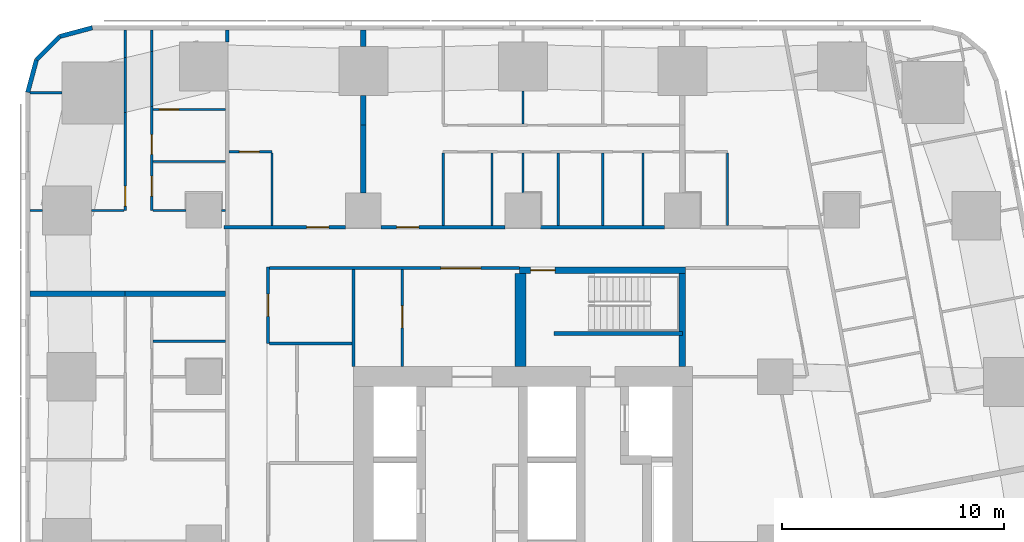
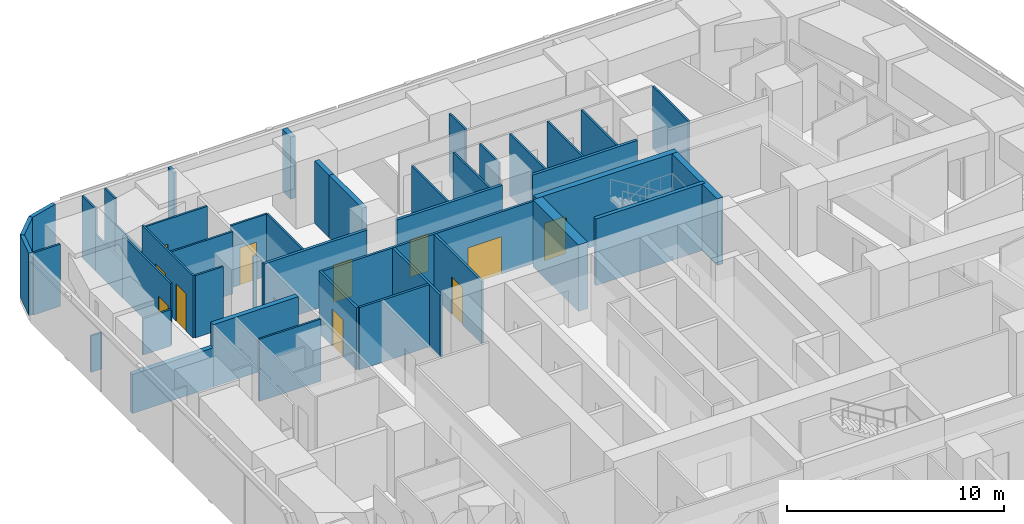
# One storey, part 8 of 15: 45 walls, 11 doors, 11 openings.
"""IFC4 building model written with IfcOpenShell, lengths in metres."""

from ifc_helpers import new_model, si_unit, direction, frame, frame_2d, origin, place, context, subcontext, project, spatial, rectangle, extrude, material, layer, layer_set, type_object, element, fill, save


model = new_model("IFC4")

# Units and contexts
model_context = context("Model", 3, precision=1e-05, world=origin(), true_north=direction((0.0, 1.0)))
body_context = subcontext(model_context, "Body", "Model", "MODEL_VIEW")
ifc_project = project(units=[si_unit("LENGTHUNIT", "METRE"), si_unit("AREAUNIT", "SQUARE_METRE"), si_unit("VOLUMEUNIT", "CUBIC_METRE"), si_unit("PLANEANGLEUNIT", "RADIAN"), si_unit("MASSUNIT", "GRAM", prefix="KILO")], contexts=[model_context])

# Site, building, storey
site_placement = place(None, origin())
site = spatial("IfcSite", under=ifc_project, at=site_placement, CompositionType="ELEMENT")
building_placement = place(site_placement, origin())
building = spatial("IfcBuilding", under=site, at=building_placement, Name="Sheger Commons Tower", CompositionType="ELEMENT")
storey_placement = place(building_placement, frame((0.0, 0.0, 85.39990234375)))
storey = spatial("IfcBuildingStorey", under=building, at=storey_placement, Name="L21", CompositionType="ELEMENT", Elevation=85.39990234375)

# Wall
ifc_material_1 = material(Name="Hollow concrete block masonry, skimmed both sides", Category="masonry")
ifc_layer_1 = layer(ifc_material_1, 0.14990234375)
ifc_layer_set_1 = layer_set([ifc_layer_1], Name="CORRIDOR WALL 150")
wall_type_1 = type_object("IfcWallType", Name="CORRIDOR WALL 150", PredefinedType="SOLIDWALL", material=ifc_layer_set_1)
wall_1_placement = place(storey_placement, frame((8.25, 45.10107421875, 0.0), z_axis=(0.0, 0.0, 1.0), x_axis=(0.0, 1.0, 0.0)))
element("IfcWall", 1, at=wall_1_placement, inside=storey, type_object=wall_type_1, Name="Corridor wall L21", PredefinedType="SOLIDWALL", context=body_context, shape_type="SweptSolid", body=[
    extrude(rectangle(XDim=0.548828125, YDim=0.14990234375, at=frame_2d((0.2744140625, 0.0))), origin(), (0.0, 0.0, 1.0), 3.5),
])

# Wall, opening, door
wall_2_placement = place(storey_placement, frame((8.10009765625, 36.75, 0.0), z_axis=(0.0, 0.0, 1.0), x_axis=(1.0, 0.0, 0.0)))
wall_2 = element("IfcWall", 2, at=wall_2_placement, inside=storey, type_object=wall_type_1, Name="Corridor wall L21", PredefinedType="SOLIDWALL", context=body_context, shape_type="SweptSolid", body=[
    extrude(rectangle(XDim=5.4990234375, YDim=0.14990234375, at=frame_2d((2.74951171875, 0.0))), origin(), (0.0, 0.0, 1.0), 3.5),
])
opening_1_placement = place(wall_2_placement, frame((3.739013671875, 0.0, 0.0)))
opening_1 = element("IfcOpeningElement", 3, at=opening_1_placement, cuts=wall_2, Name="Opening D1", PredefinedType="OPENING", context=body_context, shape_type="SweptSolid", body=[
    extrude(rectangle(XDim=1.0, YDim=2.10009765625, at=frame_2d((0.5, 1.050048828125))), frame((0.0, 0.0849609375, 0.0), z_axis=(0.0, -1.0, 0.0), x_axis=(1.0, 0.0, 0.0)), (0.0, 0.0, 1.0), 0.169921875),
])
ifc_material_2 = material(Name="Steel door set, fire rated", Category="steel")
door_type_1 = type_object("IfcDoorType", Name="FLAT ENTRANCE DOOR 1000x2100", OperationType="NOTDEFINED", PredefinedType="DOOR", material=ifc_material_2)
door_1_placement = place(opening_1_placement, origin())
door_1 = element("IfcDoor", 4, at=door_1_placement, inside=storey, type_object=door_type_1, Name="Flat entrance door", OperationType="SINGLE_SWING_RIGHT", OverallHeight=2.10009765625, OverallWidth=1.0, PredefinedType="DOOR", context=body_context, shape_type="SweptSolid", body=[
    extrude(rectangle(XDim=1.0, YDim=2.10009765625, at=frame_2d((0.5, 1.050048828125))), frame((0.0, 0.02490234375, 0.0), z_axis=(0.0, -1.0, 0.0), x_axis=(1.0, 0.0, 0.0)), (0.0, 0.0, 1.0), 0.050048828125),
])
fill(opening_1, door_1)

wall_3_placement = place(storey_placement, frame((15.200927734375, 36.75, 0.0), z_axis=(0.0, 0.0, 1.0), x_axis=(1.0, 0.0, 0.0)))
wall_3 = element("IfcWall", 5, at=wall_3_placement, inside=storey, type_object=wall_type_1, Name="Corridor wall L21", PredefinedType="SOLIDWALL", context=body_context, shape_type="SweptSolid", body=[
    extrude(rectangle(XDim=5.59814453125, YDim=0.14990234375, at=frame_2d((2.799072265625, 0.0))), origin(), (0.0, 0.0, 1.0), 3.5),
])
opening_2_placement = place(wall_3_placement, frame((0.698974609375, 0.0, 0.0)))
opening_2 = element("IfcOpeningElement", 6, at=opening_2_placement, cuts=wall_3, Name="Opening D1", PredefinedType="OPENING", context=body_context, shape_type="SweptSolid", body=[
    extrude(rectangle(XDim=1.0, YDim=2.10009765625, at=frame_2d((0.5, 1.050048828125))), frame((0.0, 0.0849609375, 0.0), z_axis=(0.0, -1.0, 0.0), x_axis=(1.0, 0.0, 0.0)), (0.0, 0.0, 1.0), 0.169921875),
])
door_2_placement = place(opening_2_placement, origin())
door_2 = element("IfcDoor", 7, at=door_2_placement, inside=storey, type_object=door_type_1, Name="Flat entrance door", OperationType="SINGLE_SWING_LEFT", OverallHeight=2.10009765625, OverallWidth=1.0, PredefinedType="DOOR", context=body_context, shape_type="SweptSolid", body=[
    extrude(rectangle(XDim=1.0, YDim=2.10009765625, at=frame_2d((0.5, 1.050048828125))), frame((0.0, 0.02490234375, 0.0), z_axis=(0.0, -1.0, 0.0), x_axis=(1.0, 0.0, 0.0)), (0.0, 0.0, 1.0), 0.050048828125),
])
fill(opening_2, door_2)

# Walls
wall_4_placement = place(storey_placement, frame((22.40087890625, 36.75, 0.0), z_axis=(0.0, 0.0, 1.0), x_axis=(1.0, 0.0, 0.0)))
element("IfcWall", 8, at=wall_4_placement, inside=storey, type_object=wall_type_1, Name="Corridor wall L21", PredefinedType="SOLIDWALL", context=body_context, shape_type="SweptSolid", body=[
    extrude(rectangle(XDim=5.59814453125, YDim=0.14990234375, at=frame_2d((2.799072265625, 0.0))), origin(), (0.0, 0.0, 1.0), 3.5),
])
ifc_material_3 = material(Name="Dense concrete block masonry, plastered both sides (separating wall between flats)", Category="masonry")
ifc_layer_2 = layer(ifc_material_3, 0.25)
ifc_layer_set_2 = layer_set([ifc_layer_2], Name="DEMISING WALL 250")
wall_type_2 = type_object("IfcWallType", Name="DEMISING WALL 250", PredefinedType="SOLIDWALL", material=ifc_layer_set_2)
wall_5_placement = place(storey_placement, frame((-0.64990234375, 33.75, 0.0), z_axis=(0.0, 0.0, 1.0), x_axis=(1.0, 0.0, 0.0)))
element("IfcWall", 9, at=wall_5_placement, inside=storey, type_object=wall_type_2, Name="Demising wall L21", PredefinedType="SOLIDWALL", context=body_context, shape_type="SweptSolid", body=[
    extrude(rectangle(XDim=4.2998046875, YDim=0.25, at=frame_2d((2.14990234375, 0.0))), origin(), (0.0, 0.0, 1.0), 2.2001953125),
])
wall_6_placement = place(storey_placement, frame((3.64990234375, 33.75, 0.0), z_axis=(0.0, 0.0, 1.0), x_axis=(1.0, 0.0, 0.0)))
element("IfcWall", 10, at=wall_6_placement, inside=storey, type_object=wall_type_2, Name="Demising wall L21", PredefinedType="SOLIDWALL", context=body_context, shape_type="SweptSolid", body=[
    extrude(rectangle(XDim=4.525146484375, YDim=0.25, at=frame_2d((2.2626953125, 0.0))), origin(), (0.0, 0.0, 1.0), 3.5),
])
wall_7_placement = place(storey_placement, frame((14.39990234375, 41.35009765625, 0.0), z_axis=(0.0, 0.0, 1.0), x_axis=(0.0, 1.0, 0.0)))
element("IfcWall", 11, at=wall_7_placement, inside=storey, type_object=wall_type_2, Name="Demising wall L21", PredefinedType="SOLIDWALL", context=body_context, shape_type="SweptSolid", body=[
    extrude(rectangle(XDim=1.348876953125, YDim=0.25, at=frame_2d((0.67431640625, 0.0))), origin(), (0.0, 0.0, 1.0), 3.5),
])
wall_8_placement = place(storey_placement, frame((14.39990234375, 44.90087890625, 0.0), z_axis=(0.0, 0.0, 1.0), x_axis=(0.0, 1.0, 0.0)))
element("IfcWall", 12, at=wall_8_placement, inside=storey, type_object=wall_type_2, Name="Demising wall L21", PredefinedType="SOLIDWALL", context=body_context, shape_type="SweptSolid", body=[
    extrude(rectangle(XDim=0.7490234375, YDim=0.25, at=frame_2d((0.37451171875, 0.0))), origin(), (0.0, 0.0, 1.0), 3.5),
])
wall_9_placement = place(storey_placement, frame((14.39990234375, 38.301025390625, 0.0), z_axis=(0.0, 0.0, 1.0), x_axis=(0.0, 1.0, 0.0)))
element("IfcWall", 13, at=wall_9_placement, inside=storey, type_object=wall_type_2, Name="Demising wall L21", PredefinedType="SOLIDWALL", context=body_context, shape_type="SweptSolid", body=[
    extrude(rectangle(XDim=3.049072265625, YDim=0.25, at=frame_2d((1.5244140625, 0.0))), origin(), (0.0, 0.0, 1.0), 3.5),
])
ifc_material_4 = material(Name="Rendered concrete block masonry, dark grey", Category="masonry")
ifc_layer_3 = layer(ifc_material_4, 0.199951171875)
ifc_layer_set_3 = layer_set([ifc_layer_3], Name="FACADE WALL 200")
wall_type_3 = type_object("IfcWallType", Name="FACADE WALL 200", PredefinedType="SOLIDWALL", material=ifc_layer_set_3)
wall_10_placement = place(storey_placement, frame((2.1630859375, 45.75, 0.0), z_axis=(0.0, 0.0, 1.0), x_axis=(-0.965832000415, -0.259168954497, 0.0)))
element("IfcWall", 14, at=wall_10_placement, inside=storey, type_object=wall_type_3, Name="Facade wall L21", PredefinedType="SOLIDWALL", context=body_context, shape_type="SweptSolid", body=[
    extrude(rectangle(XDim=1.512939453125, YDim=0.199951171875, at=frame_2d((0.75634765625, 0.0))), origin(), (0.0, 0.0, 1.0), 3.5),
])
wall_11_placement = place(storey_placement, frame((0.701904296875, 45.35791015625, 0.0), z_axis=(0.0, 0.0, 1.0), x_axis=(-0.707106781187, -0.707106781187, 0.0)))
element("IfcWall", 15, at=wall_11_placement, inside=storey, type_object=wall_type_3, Name="Facade wall L21", PredefinedType="SOLIDWALL", context=body_context, shape_type="SweptSolid", body=[
    extrude(rectangle(XDim=1.498779296875, YDim=0.199951171875, at=frame_2d((0.74951171875, 0.0))), origin(), (0.0, 0.0, 1.0), 3.5),
])
wall_12_placement = place(storey_placement, frame((-0.35791015625, 44.298095703125, 0.0), z_axis=(0.0, 0.0, 1.0), x_axis=(-0.259168954497, -0.965832000415, 0.0)))
element("IfcWall", 16, at=wall_12_placement, inside=storey, type_object=wall_type_3, Name="Facade wall L21", PredefinedType="SOLIDWALL", context=body_context, shape_type="SweptSolid", body=[
    extrude(rectangle(XDim=1.512939453125, YDim=0.199951171875, at=frame_2d((0.75634765625, 0.0))), origin(), (0.0, 0.0, 1.0), 3.5),
])
ifc_material_5 = material(Name="Gypsum board on steel studs", Category="steel")
ifc_layer_4 = layer(ifc_material_5, 0.10009765625)
ifc_layer_set_4 = layer_set([ifc_layer_4], Name="PARTITION 100")
wall_type_4 = type_object("IfcWallType", Name="PARTITION 100", PredefinedType="PARTITIONING", material=ifc_layer_set_4)
wall_13_placement = place(storey_placement, frame((4.89990234375, 31.60009765625, 0.0), z_axis=(0.0, 0.0, 1.0), x_axis=(1.0, 0.0, 0.0)))
element("IfcWall", 17, at=wall_13_placement, inside=storey, type_object=wall_type_4, Name="Partition L21", PredefinedType="PARTITIONING", context=body_context, shape_type="SweptSolid", body=[
    extrude(rectangle(XDim=3.275146484375, YDim=0.10009765625, at=frame_2d((1.6376953125, 0.0))), origin(), (0.0, 0.0, 1.0), 3.5),
])

# Wall, opening, door
wall_14_placement = place(storey_placement, frame((3.64990234375, 37.5, 0.0), z_axis=(0.0, 0.0, 1.0), x_axis=(0.0, 1.0, 0.0)))
wall_14 = element("IfcWall", 18, at=wall_14_placement, inside=storey, type_object=wall_type_4, Name="Partition L21", PredefinedType="PARTITIONING", context=body_context, shape_type="SweptSolid", body=[
    extrude(rectangle(XDim=4.4150390625, YDim=0.10009765625, at=frame_2d((2.20751953125, 0.0))), origin(), (0.0, 0.0, 1.0), 3.5),
])
opening_3_placement = place(wall_14_placement, frame((0.199951171875, 0.0, 0.0)))
opening_3 = element("IfcOpeningElement", 19, at=opening_3_placement, cuts=wall_14, Name="Opening D2", PredefinedType="OPENING", context=body_context, shape_type="SweptSolid", body=[
    extrude(rectangle(XDim=0.89990234375, YDim=2.10009765625, at=frame_2d((0.449951171875, 1.050048828125))), frame((0.0, 0.06005859375, 0.0), z_axis=(0.0, -1.0, 0.0), x_axis=(1.0, 0.0, 0.0)), (0.0, 0.0, 1.0), 0.1201171875),
])
ifc_material_6 = material(Name="Timber door set", Category="wood")
door_type_2 = type_object("IfcDoorType", Name="INTERNAL DOOR 900x2100", OperationType="NOTDEFINED", PredefinedType="DOOR", material=ifc_material_6)
door_3_placement = place(opening_3_placement, origin())
door_3 = element("IfcDoor", 20, at=door_3_placement, inside=storey, type_object=door_type_2, Name="Main bedroom door", OperationType="SINGLE_SWING_LEFT", OverallHeight=2.10009765625, OverallWidth=0.89990234375, PredefinedType="DOOR", context=body_context, shape_type="SweptSolid", body=[
    extrude(rectangle(XDim=0.89990234375, YDim=2.10009765625, at=frame_2d((0.449951171875, 1.050048828125))), frame((0.0, 0.02490234375, 0.0), z_axis=(0.0, -1.0, 0.0), x_axis=(1.0, 0.0, 0.0)), (0.0, 0.0, 1.0), 0.050048828125),
])
fill(opening_3, door_3)

# Walls
wall_15_placement = place(storey_placement, frame((3.64990234375, 41.9150390625, 0.0), z_axis=(0.0, 0.0, 1.0), x_axis=(0.0, 1.0, 0.0)))
element("IfcWall", 21, at=wall_15_placement, inside=storey, type_object=wall_type_4, Name="Partition L21", PredefinedType="PARTITIONING", context=body_context, shape_type="SweptSolid", body=[
    extrude(rectangle(XDim=2.489990234375, YDim=0.10009765625, at=frame_2d((1.2451171875, 0.0))), origin(), (0.0, 0.0, 1.0), 2.050048828125),
])
wall_16_placement = place(storey_placement, frame((3.64990234375, 44.405029296875, 0.0), z_axis=(0.0, 0.0, 1.0), x_axis=(0.0, 1.0, 0.0)))
element("IfcWall", 22, at=wall_16_placement, inside=storey, type_object=wall_type_4, Name="Partition L21", PredefinedType="PARTITIONING", context=body_context, shape_type="SweptSolid", body=[
    extrude(rectangle(XDim=1.244873046875, YDim=0.10009765625, at=frame_2d((0.62255859375, 0.0))), origin(), (0.0, 0.0, 1.0), 3.5),
])

# Wall, openings, doors
wall_17_placement = place(storey_placement, frame((4.85009765625, 37.5, 0.0), z_axis=(0.0, 0.0, 1.0), x_axis=(0.0, 1.0, 0.0)))
wall_17 = element("IfcWall", 23, at=wall_17_placement, inside=storey, type_object=wall_type_4, Name="Partition L21", PredefinedType="PARTITIONING", context=body_context, shape_type="SweptSolid", body=[
    extrude(rectangle(XDim=4.698974609375, YDim=0.10009765625, at=frame_2d((2.349609375, 0.0))), origin(), (0.0, 0.0, 1.0), 3.5),
])
opening_4_placement = place(wall_17_placement, frame((0.655029296875, 0.0, 0.0)))
opening_4 = element("IfcOpeningElement", 24, at=opening_4_placement, cuts=wall_17, Name="Opening D2", PredefinedType="OPENING", context=body_context, shape_type="SweptSolid", body=[
    extrude(rectangle(XDim=0.89990234375, YDim=2.10009765625, at=frame_2d((0.449951171875, 1.050048828125))), frame((0.0, 0.06005859375, 0.0), z_axis=(0.0, -1.0, 0.0), x_axis=(1.0, 0.0, 0.0)), (0.0, 0.0, 1.0), 0.1201171875),
])
opening_5_placement = place(wall_17_placement, frame((2.530029296875, 0.0, 0.0)))
opening_5 = element("IfcOpeningElement", 25, at=opening_5_placement, cuts=wall_17, Name="Opening D2", PredefinedType="OPENING", context=body_context, shape_type="SweptSolid", body=[
    extrude(rectangle(XDim=0.89990234375, YDim=2.10009765625, at=frame_2d((0.449951171875, 1.050048828125))), frame((0.0, 0.06005859375, 0.0), z_axis=(0.0, -1.0, 0.0), x_axis=(1.0, 0.0, 0.0)), (0.0, 0.0, 1.0), 0.1201171875),
])
door_4_placement = place(opening_4_placement, origin())
door_4 = element("IfcDoor", 26, at=door_4_placement, inside=storey, type_object=door_type_2, Name="Bathroom door", OperationType="SINGLE_SWING_RIGHT", OverallHeight=2.10009765625, OverallWidth=0.89990234375, PredefinedType="DOOR", context=body_context, shape_type="SweptSolid", body=[
    extrude(rectangle(XDim=0.89990234375, YDim=2.10009765625, at=frame_2d((0.449951171875, 1.050048828125))), frame((0.0, 0.02490234375, 0.0), z_axis=(0.0, -1.0, 0.0), x_axis=(1.0, 0.0, 0.0)), (0.0, 0.0, 1.0), 0.050048828125),
])
fill(opening_4, door_4)
door_5_placement = place(opening_5_placement, origin())
door_5 = element("IfcDoor", 27, at=door_5_placement, inside=storey, type_object=door_type_2, Name="Store door", OperationType="SINGLE_SWING_RIGHT", OverallHeight=2.10009765625, OverallWidth=0.89990234375, PredefinedType="DOOR", context=body_context, shape_type="SweptSolid", body=[
    extrude(rectangle(XDim=0.89990234375, YDim=2.10009765625, at=frame_2d((0.449951171875, 1.050048828125))), frame((0.0, 0.02490234375, 0.0), z_axis=(0.0, -1.0, 0.0), x_axis=(1.0, 0.0, 0.0)), (0.0, 0.0, 1.0), 0.050048828125),
])
fill(opening_5, door_5)

# Walls
wall_18_placement = place(storey_placement, frame((4.85009765625, 42.198974609375, 0.0), z_axis=(0.0, 0.0, 1.0), x_axis=(0.0, 1.0, 0.0)))
element("IfcWall", 28, at=wall_18_placement, inside=storey, type_object=wall_type_4, Name="Partition L21", PredefinedType="PARTITIONING", context=body_context, shape_type="SweptSolid", body=[
    extrude(rectangle(XDim=2.489990234375, YDim=0.10009765625, at=frame_2d((1.2451171875, 0.0))), origin(), (0.0, 0.0, 1.0), 2.050048828125),
])
wall_19_placement = place(storey_placement, frame((4.85009765625, 44.68896484375, 0.0), z_axis=(0.0, 0.0, 1.0), x_axis=(0.0, 1.0, 0.0)))
element("IfcWall", 29, at=wall_19_placement, inside=storey, type_object=wall_type_4, Name="Partition L21", PredefinedType="PARTITIONING", context=body_context, shape_type="SweptSolid", body=[
    extrude(rectangle(XDim=0.9609375, YDim=0.10009765625, at=frame_2d((0.48046875, 0.0))), origin(), (0.0, 0.0, 1.0), 3.5),
])
wall_20_placement = place(storey_placement, frame((-0.64990234375, 37.5, 0.0), z_axis=(0.0, 0.0, 1.0), x_axis=(1.0, 0.0, 0.0)))
element("IfcWall", 30, at=wall_20_placement, inside=storey, type_object=wall_type_4, Name="Partition L21", PredefinedType="PARTITIONING", context=body_context, shape_type="SweptSolid", body=[
    extrude(rectangle(XDim=0.573974609375, YDim=0.10009765625, at=frame_2d((0.287109375, 0.0))), origin(), (0.0, 0.0, 1.0), 2.050048828125),
])
wall_21_placement = place(storey_placement, frame((2.1259765625, 37.5, 0.0), z_axis=(0.0, 0.0, 1.0), x_axis=(1.0, 0.0, 0.0)))
element("IfcWall", 31, at=wall_21_placement, inside=storey, type_object=wall_type_4, Name="Partition L21", PredefinedType="PARTITIONING", context=body_context, shape_type="SweptSolid", body=[
    extrude(rectangle(XDim=1.47412109375, YDim=0.10009765625, at=frame_2d((0.737060546875, 0.0))), origin(), (0.0, 0.0, 1.0), 2.050048828125),
])
wall_22_placement = place(storey_placement, frame((-0.64990234375, 42.81396484375, 0.0), z_axis=(0.0, 0.0, 1.0), x_axis=(1.0, 0.0, 0.0)))
element("IfcWall", 32, at=wall_22_placement, inside=storey, type_object=wall_type_4, Name="Partition L21", PredefinedType="PARTITIONING", context=body_context, shape_type="SweptSolid", body=[
    extrude(rectangle(XDim=1.434814453125, YDim=0.10009765625, at=frame_2d((0.71728515625, 0.0))), origin(), (0.0, 0.0, 1.0), 3.5),
])
wall_23_placement = place(storey_placement, frame((4.89990234375, 37.5, 0.0), z_axis=(0.0, 0.0, 1.0), x_axis=(1.0, 0.0, 0.0)))
element("IfcWall", 33, at=wall_23_placement, inside=storey, type_object=wall_type_4, Name="Partition L21", PredefinedType="PARTITIONING", context=body_context, shape_type="SweptSolid", body=[
    extrude(rectangle(XDim=1.4990234375, YDim=0.10009765625, at=frame_2d((0.74951171875, 0.0))), origin(), (0.0, 0.0, 1.0), 3.5),
])
wall_24_placement = place(storey_placement, frame((8.0009765625, 37.5, 0.0), z_axis=(0.0, 0.0, 1.0), x_axis=(1.0, 0.0, 0.0)))
element("IfcWall", 34, at=wall_24_placement, inside=storey, type_object=wall_type_4, Name="Partition L21", PredefinedType="PARTITIONING", context=body_context, shape_type="SweptSolid", body=[
    extrude(rectangle(XDim=0.174072265625, YDim=0.10009765625, at=frame_2d((0.0869140625, 0.0))), origin(), (0.0, 0.0, 1.0), 3.5),
])
wall_25_placement = place(storey_placement, frame((4.89990234375, 39.7099609375, 0.0), z_axis=(0.0, 0.0, 1.0), x_axis=(1.0, 0.0, 0.0)))
element("IfcWall", 35, at=wall_25_placement, inside=storey, type_object=wall_type_4, Name="Partition L21", PredefinedType="PARTITIONING", context=body_context, shape_type="SweptSolid", body=[
    extrude(rectangle(XDim=3.275146484375, YDim=0.10009765625, at=frame_2d((1.6376953125, 0.0))), origin(), (0.0, 0.0, 1.0), 3.5),
])

# Wall, opening, door
wall_26_placement = place(storey_placement, frame((8.324951171875, 40.14990234375, 0.0), z_axis=(0.0, 0.0, 1.0), x_axis=(1.0, 0.0, 0.0)))
wall_26 = element("IfcWall", 36, at=wall_26_placement, inside=storey, type_object=wall_type_4, Name="Partition L21", PredefinedType="PARTITIONING", context=body_context, shape_type="SweptSolid", body=[
    extrude(rectangle(XDim=1.9541015625, YDim=0.10009765625, at=frame_2d((0.97705078125, 0.0))), origin(), (0.0, 0.0, 1.0), 3.5),
])
opening_6_placement = place(wall_26_placement, frame((0.47509765625, 0.0, 0.0)))
opening_6 = element("IfcOpeningElement", 37, at=opening_6_placement, cuts=wall_26, Name="Opening D2", PredefinedType="OPENING", context=body_context, shape_type="SweptSolid", body=[
    extrude(rectangle(XDim=0.89990234375, YDim=2.10009765625, at=frame_2d((0.449951171875, 1.050048828125))), frame((0.0, 0.06005859375, 0.0), z_axis=(0.0, -1.0, 0.0), x_axis=(1.0, 0.0, 0.0)), (0.0, 0.0, 1.0), 0.1201171875),
])
door_6_placement = place(opening_6_placement, origin())
door_6 = element("IfcDoor", 38, at=door_6_placement, inside=storey, type_object=door_type_2, Name="Shower room door", OperationType="SINGLE_SWING_RIGHT", OverallHeight=2.10009765625, OverallWidth=0.89990234375, PredefinedType="DOOR", context=body_context, shape_type="SweptSolid", body=[
    extrude(rectangle(XDim=0.89990234375, YDim=2.10009765625, at=frame_2d((0.449951171875, 1.050048828125))), frame((0.0, 0.02490234375, 0.0), z_axis=(0.0, -1.0, 0.0), x_axis=(1.0, 0.0, 0.0)), (0.0, 0.0, 1.0), 0.050048828125),
])
fill(opening_6, door_6)

# Walls
wall_27_placement = place(storey_placement, frame((10.279052734375, 36.824951171875, 0.0), z_axis=(0.0, 0.0, 1.0), x_axis=(0.0, 1.0, 0.0)))
element("IfcWall", 39, at=wall_27_placement, inside=storey, type_object=wall_type_4, Name="Partition L21", PredefinedType="PARTITIONING", context=body_context, shape_type="SweptSolid", body=[
    extrude(rectangle(XDim=3.275146484375, YDim=0.10009765625, at=frame_2d((1.6376953125, 0.0))), origin(), (0.0, 0.0, 1.0), 3.5),
])
wall_28_placement = place(storey_placement, frame((21.60009765625, 41.39990234375, 0.0), z_axis=(0.0, 0.0, 1.0), x_axis=(0.0, 1.0, 0.0)))
element("IfcWall", 40, at=wall_28_placement, inside=storey, type_object=wall_type_4, Name="Partition L21", PredefinedType="PARTITIONING", context=body_context, shape_type="SweptSolid", body=[
    extrude(rectangle(XDim=1.4990234375, YDim=0.10009765625, at=frame_2d((0.74951171875, 0.0))), origin(), (0.0, 0.0, 1.0), 3.5),
])
wall_29_placement = place(storey_placement, frame((18.0, 36.824951171875, 0.0), z_axis=(0.0, 0.0, 1.0), x_axis=(0.0, 1.0, 0.0)))
element("IfcWall", 41, at=wall_29_placement, inside=storey, type_object=wall_type_4, Name="Partition L21", PredefinedType="PARTITIONING", context=body_context, shape_type="SweptSolid", body=[
    extrude(rectangle(XDim=3.275146484375, YDim=0.10009765625, at=frame_2d((1.6376953125, 0.0))), origin(), (0.0, 0.0, 1.0), 3.5),
])
wall_30_placement = place(storey_placement, frame((21.60009765625, 38.301025390625, 0.0), z_axis=(0.0, 0.0, 1.0), x_axis=(0.0, 1.0, 0.0)))
element("IfcWall", 42, at=wall_30_placement, inside=storey, type_object=wall_type_4, Name="Partition L21", PredefinedType="PARTITIONING", context=body_context, shape_type="SweptSolid", body=[
    extrude(rectangle(XDim=1.799072265625, YDim=0.10009765625, at=frame_2d((0.8994140625, 0.0))), origin(), (0.0, 0.0, 1.0), 3.5),
])
for number, where, z_axis, x_axis, name in (
    (43, (25.199951171875, 36.824951171875, 0.0), (0.0, 0.0, 1.0), (0.0, 1.0, 0.0), "Partition L21"),
    (44, (20.2099609375, 36.824951171875, 0.0), (0.0, 0.0, 1.0), (0.0, 1.0, 0.0), "Partition L21"),
    (45, (23.199951171875, 36.824951171875, 0.0), (0.0, 0.0, 1.0), (0.0, 1.0, 0.0), "Partition L21"),
    (46, (27.02001953125, 36.824951171875, 0.0), (0.0, 0.0, 1.0), (0.0, 1.0, 0.0), "Partition L21"),
    (47, (30.8291015625, 36.824951171875, 0.0), (0.0, 0.0, 1.0), (0.0, 1.0, 0.0), "Partition L21"),
):
    element("IfcWall", number, at=place(storey_placement, frame(where, z_axis=z_axis, x_axis=x_axis)), inside=storey, type_object=wall_type_4, Name=name, PredefinedType="PARTITIONING", context=body_context, shape_type="SweptSolid", body=[
        extrude(rectangle(XDim=3.275146484375, YDim=0.10009765625, at=frame_2d((1.6376953125, 0.0))), origin(), (0.0, 0.0, 1.0), 3.5),
    ])

# Wall, opening, door
wall_31_placement = place(storey_placement, frame((8.175048828125, 42.06005859375, 0.0), z_axis=(0.0, 0.0, 1.0), x_axis=(-1.0, 0.0, 0.0)))
wall_31 = element("IfcWall", 48, at=wall_31_placement, inside=storey, type_object=wall_type_4, Name="Partition L21", PredefinedType="PARTITIONING", context=body_context, shape_type="SweptSolid", body=[
    extrude(rectangle(XDim=3.275146484375, YDim=0.10009765625, at=frame_2d((1.6376953125, 0.0))), origin(), (0.0, 0.0, 1.0), 3.5),
])
opening_7_placement = place(wall_31_placement, frame((2.10009765625, 0.0, 0.0)))
opening_7 = element("IfcOpeningElement", 49, at=opening_7_placement, cuts=wall_31, Name="Opening D2", PredefinedType="OPENING", context=body_context, shape_type="SweptSolid", body=[
    extrude(rectangle(XDim=0.89990234375, YDim=2.10009765625, at=frame_2d((0.449951171875, 1.050048828125))), frame((0.0, 0.06005859375, 0.0), z_axis=(0.0, -1.0, 0.0), x_axis=(1.0, 0.0, 0.0)), (0.0, 0.0, 1.0), 0.1201171875),
])
door_7_placement = place(opening_7_placement, origin())
door_7 = element("IfcDoor", 50, at=door_7_placement, inside=storey, type_object=door_type_2, Name="Store door", OperationType="SINGLE_SWING_LEFT", OverallHeight=2.10009765625, OverallWidth=0.89990234375, PredefinedType="DOOR", context=body_context, shape_type="SweptSolid", body=[
    extrude(rectangle(XDim=0.89990234375, YDim=2.10009765625, at=frame_2d((0.449951171875, 1.050048828125))), frame((0.0, 0.02490234375, 0.0), z_axis=(0.0, -1.0, 0.0), x_axis=(1.0, 0.0, 0.0)), (0.0, 0.0, 1.0), 0.050048828125),
])
fill(opening_7, door_7)

ifc_material_7 = material(Name="Gypsum board on steel studs, two layers each side, fire rated", Category="steel")
ifc_layer_5 = layer(ifc_material_7, 0.125)
ifc_layer_set_5 = layer_set([ifc_layer_5], Name="SERVICE WALL 125")
wall_type_5 = type_object("IfcWallType", Name="SERVICE WALL 125", PredefinedType="PARTITIONING", material=ifc_layer_set_5)
wall_32_placement = place(storey_placement, frame((10.10009765625, 31.5, 0.0), z_axis=(0.0, 0.0, 1.0), x_axis=(0.0, 1.0, 0.0)))
wall_32 = element("IfcWall", 51, at=wall_32_placement, inside=storey, type_object=wall_type_5, Name="Service room wall L21", PredefinedType="PARTITIONING", context=body_context, shape_type="SweptSolid", body=[
    extrude(rectangle(XDim=3.449951171875, YDim=0.125, at=frame_2d((1.72509765625, 0.0))), origin(), (0.0, 0.0, 1.0), 3.5),
])
opening_8_placement = place(wall_32_placement, frame((1.22509765625, 0.0, 0.0)))
opening_8 = element("IfcOpeningElement", 52, at=opening_8_placement, cuts=wall_32, Name="Opening D4", PredefinedType="OPENING", context=body_context, shape_type="SweptSolid", body=[
    extrude(rectangle(XDim=1.0, YDim=2.10009765625, at=frame_2d((0.5, 1.050048828125))), frame((0.0, 0.072509765625, 0.0), z_axis=(0.0, -1.0, 0.0), x_axis=(1.0, 0.0, 0.0)), (0.0, 0.0, 1.0), 0.14501953125),
])
ifc_material_8 = material(Name="Steel door set, fire rated", Category="steel")
door_type_3 = type_object("IfcDoorType", Name="SERVICE DOOR 1000x2100", OperationType="NOTDEFINED", PredefinedType="DOOR", material=ifc_material_8)
door_8_placement = place(opening_8_placement, origin())
door_8 = element("IfcDoor", 53, at=door_8_placement, inside=storey, type_object=door_type_3, Name="Cleaner's store door", OperationType="SINGLE_SWING_RIGHT", OverallHeight=2.10009765625, OverallWidth=1.0, PredefinedType="DOOR", context=body_context, shape_type="SweptSolid", body=[
    extrude(rectangle(XDim=1.0, YDim=2.10009765625, at=frame_2d((0.5, 1.050048828125))), frame((0.0, 0.02490234375, 0.0), z_axis=(0.0, -1.0, 0.0), x_axis=(1.0, 0.0, 0.0)), (0.0, 0.0, 1.0), 0.050048828125),
])
fill(opening_8, door_8)

# Walls
wall_33_placement = place(storey_placement, frame((10.1630859375, 31.5, 0.0), z_axis=(0.0, 0.0, 1.0), x_axis=(1.0, 0.0, 0.0)))
element("IfcWall", 54, at=wall_33_placement, inside=storey, type_object=wall_type_5, Name="Service room wall L21", PredefinedType="PARTITIONING", context=body_context, shape_type="SweptSolid", body=[
    extrude(rectangle(XDim=3.724853515625, YDim=0.125, at=frame_2d((1.8623046875, 0.0))), origin(), (0.0, 0.0, 1.0), 3.5),
])
wall_34_placement = place(storey_placement, frame((13.949951171875, 30.449951171875, 0.0), z_axis=(0.0, 0.0, 1.0), x_axis=(0.0, 1.0, 0.0)))
element("IfcWall", 55, at=wall_34_placement, inside=storey, type_object=wall_type_5, Name="Service room wall L21", PredefinedType="PARTITIONING", context=body_context, shape_type="SweptSolid", body=[
    extrude(rectangle(XDim=4.386962890625, YDim=0.125, at=frame_2d((2.193359375, 0.0))), origin(), (0.0, 0.0, 1.0), 3.5),
])

# Wall, opening, door
wall_35_placement = place(storey_placement, frame((10.1630859375, 34.89990234375, 0.0), z_axis=(0.0, 0.0, 1.0), x_axis=(1.0, 0.0, 0.0)))
wall_35 = element("IfcWall", 56, at=wall_35_placement, inside=storey, type_object=wall_type_5, Name="Service room wall L21", PredefinedType="PARTITIONING", context=body_context, shape_type="SweptSolid", body=[
    extrude(rectangle(XDim=11.286865234375, YDim=0.125, at=frame_2d((5.6435546875, 0.0))), origin(), (0.0, 0.0, 1.0), 3.5),
])
opening_9_placement = place(wall_35_placement, frame((7.737060546875, 0.0, 0.0)))
opening_9 = element("IfcOpeningElement", 57, at=opening_9_placement, cuts=wall_35, Name="Opening D6", PredefinedType="OPENING", context=body_context, shape_type="SweptSolid", body=[
    extrude(rectangle(XDim=1.800048828125, YDim=2.10009765625, at=frame_2d((0.89990234375, 1.050048828125))), frame((0.0, 0.072509765625, 0.0), z_axis=(0.0, -1.0, 0.0), x_axis=(1.0, 0.0, 0.0)), (0.0, 0.0, 1.0), 0.14501953125),
])
ifc_material_9 = material(Name="Steel door set, fire rated", Category="steel")
door_type_4 = type_object("IfcDoorType", Name="LOBBY DOUBLE DOOR 1800x2100", OperationType="DOUBLE_DOOR_SINGLE_SWING", PredefinedType="DOOR", material=ifc_material_9)
door_9_placement = place(opening_9_placement, origin())
door_9 = element("IfcDoor", 58, at=door_9_placement, inside=storey, type_object=door_type_4, Name="Lift lobby north door", OperationType="DOUBLE_DOOR_SINGLE_SWING", OverallHeight=2.10009765625, OverallWidth=1.800048828125, PredefinedType="DOOR", context=body_context, shape_type="SweptSolid", body=[
    extrude(rectangle(XDim=1.800048828125, YDim=2.10009765625, at=frame_2d((0.89990234375, 1.050048828125))), frame((0.0, 0.02490234375, 0.0), z_axis=(0.0, -1.0, 0.0), x_axis=(1.0, 0.0, 0.0)), (0.0, 0.0, 1.0), 0.050048828125),
])
fill(opening_9, door_9)

wall_36_placement = place(storey_placement, frame((16.14990234375, 30.449951171875, 0.0), z_axis=(0.0, 0.0, 1.0), x_axis=(0.0, 1.0, 0.0)))
wall_36 = element("IfcWall", 59, at=wall_36_placement, inside=storey, type_object=wall_type_5, Name="Service room wall L21", PredefinedType="PARTITIONING", context=body_context, shape_type="SweptSolid", body=[
    extrude(rectangle(XDim=4.386962890625, YDim=0.125, at=frame_2d((2.193359375, 0.0))), origin(), (0.0, 0.0, 1.0), 3.5),
])
opening_10_placement = place(wall_36_placement, frame((1.75, 0.0, 0.0)))
opening_10 = element("IfcOpeningElement", 60, at=opening_10_placement, cuts=wall_36, Name="Opening D4", PredefinedType="OPENING", context=body_context, shape_type="SweptSolid", body=[
    extrude(rectangle(XDim=1.0, YDim=2.10009765625, at=frame_2d((0.5, 1.050048828125))), frame((0.0, 0.072509765625, 0.0), z_axis=(0.0, -1.0, 0.0), x_axis=(1.0, 0.0, 0.0)), (0.0, 0.0, 1.0), 0.14501953125),
])
door_10_placement = place(opening_10_placement, origin())
door_10 = element("IfcDoor", 61, at=door_10_placement, inside=storey, type_object=door_type_3, Name="Telecom room door", OperationType="SINGLE_SWING_RIGHT", OverallHeight=2.10009765625, OverallWidth=1.0, PredefinedType="DOOR", context=body_context, shape_type="SweptSolid", body=[
    extrude(rectangle(XDim=1.0, YDim=2.10009765625, at=frame_2d((0.5, 1.050048828125))), frame((0.0, 0.02490234375, 0.0), z_axis=(0.0, -1.0, 0.0), x_axis=(1.0, 0.0, 0.0)), (0.0, 0.0, 1.0), 0.050048828125),
])
fill(opening_10, door_10)

ifc_material_10 = material(Name="Concrete C50/60", Category="concrete")
ifc_layer_6 = layer(ifc_material_10, 0.300048828125)
ifc_layer_set_6 = layer_set([ifc_layer_6], Name="STAIR CORE WALL 300")
wall_type_6 = type_object("IfcWallType", Name="STAIR CORE WALL 300", PredefinedType="SHEAR", material=ifc_layer_set_6)
wall_37_placement = place(storey_placement, frame((21.449951171875, 34.800048828125, 0.0), z_axis=(0.0, 0.0, 1.0), x_axis=(1.0, 0.0, 0.0)))
wall_37 = element("IfcWall", 62, at=wall_37_placement, inside=storey, type_object=wall_type_6, Name="STW-L21-S2N", PredefinedType="SHEAR", context=body_context, shape_type="SweptSolid", body=[
    extrude(rectangle(XDim=7.5, YDim=0.300048828125, at=frame_2d((3.75, 0.0))), origin(), (0.0, 0.0, 1.0), 3.75),
])
opening_11_placement = place(wall_37_placement, frame((0.5, 0.0, 0.0)))
opening_11 = element("IfcOpeningElement", 63, at=opening_11_placement, cuts=wall_37, Name="Opening D5", PredefinedType="OPENING", context=body_context, shape_type="SweptSolid", body=[
    extrude(rectangle(XDim=1.10009765625, YDim=2.10009765625, at=frame_2d((0.550048828125, 1.050048828125))), frame((0.0, 0.159912109375, 0.0), z_axis=(0.0, -1.0, 0.0), x_axis=(1.0, 0.0, 0.0)), (0.0, 0.0, 1.0), 0.320068359375),
])
ifc_material_11 = material(Name="Steel door set, fire rated", Category="steel")
door_type_5 = type_object("IfcDoorType", Name="STAIR DOOR 1100x2100", OperationType="NOTDEFINED", PredefinedType="DOOR", material=ifc_material_11)
door_11_placement = place(opening_11_placement, origin())
door_11 = element("IfcDoor", 64, at=door_11_placement, inside=storey, type_object=door_type_5, Name="Stair S2 door", OperationType="SINGLE_SWING_RIGHT", OverallHeight=2.10009765625, OverallWidth=1.10009765625, PredefinedType="DOOR", context=body_context, shape_type="SweptSolid", body=[
    extrude(rectangle(XDim=1.10009765625, YDim=2.10009765625, at=frame_2d((0.550048828125, 1.050048828125))), frame((0.0, 0.02490234375, 0.0), z_axis=(0.0, -1.0, 0.0), x_axis=(1.0, 0.0, 0.0)), (0.0, 0.0, 1.0), 0.050048828125),
])
fill(opening_11, door_11)

# Walls
wall_38_placement = place(storey_placement, frame((28.800048828125, 30.449951171875, 0.0), z_axis=(0.0, 0.0, 1.0), x_axis=(0.0, 1.0, 0.0)))
element("IfcWall", 65, at=wall_38_placement, inside=storey, type_object=wall_type_6, Name="STW-L21-S2E", PredefinedType="SHEAR", context=body_context, shape_type="SweptSolid", body=[
    extrude(rectangle(XDim=4.199951171875, YDim=0.300048828125, at=frame_2d((2.10009765625, 0.0))), origin(), (0.0, 0.0, 1.0), 3.75),
])
ifc_material_12 = material(Name="Concrete C50/60", Category="concrete")
ifc_layer_7 = layer(ifc_material_12, 0.5)
ifc_layer_set_7 = layer_set([ifc_layer_7], Name="STAIR CORE WALL 500")
wall_type_7 = type_object("IfcWallType", Name="STAIR CORE WALL 500", PredefinedType="SHEAR", material=ifc_layer_set_7)
wall_39_placement = place(storey_placement, frame((21.5, 30.449951171875, 0.0), z_axis=(0.0, 0.0, 1.0), x_axis=(0.0, 1.0, 0.0)))
element("IfcWall", 66, at=wall_39_placement, inside=storey, type_object=wall_type_7, Name="STW-L21-S2W", PredefinedType="SHEAR", context=body_context, shape_type="SweptSolid", body=[
    extrude(rectangle(XDim=4.199951171875, YDim=0.5, at=frame_2d((2.10009765625, 0.0))), origin(), (0.0, 0.0, 1.0), 3.75),
])
ifc_material_13 = material(Name="Concrete C50/60", Category="concrete")
ifc_layer_8 = layer(ifc_material_13, 0.199951171875)
ifc_layer_set_8 = layer_set([ifc_layer_8], Name="STAIR SPINE WALL 200")
wall_type_8 = type_object("IfcWallType", Name="STAIR SPINE WALL 200", PredefinedType="SHEAR", material=ifc_layer_set_8)
wall_40_placement = place(storey_placement, frame((23.0, 31.949951171875, 0.0), z_axis=(0.0, 0.0, 1.0), x_axis=(1.0, 0.0, 0.0)))
element("IfcWall", 67, at=wall_40_placement, inside=storey, type_object=wall_type_8, Name="Stair spine wall L21", PredefinedType="SHEAR", context=body_context, shape_type="SweptSolid", body=[
    extrude(rectangle(XDim=5.800048828125, YDim=0.199951171875, at=frame_2d((2.89990234375, 0.0))), origin(), (0.0, 0.0, 1.0), 3.75),
])

save(model, "model.ifc")
